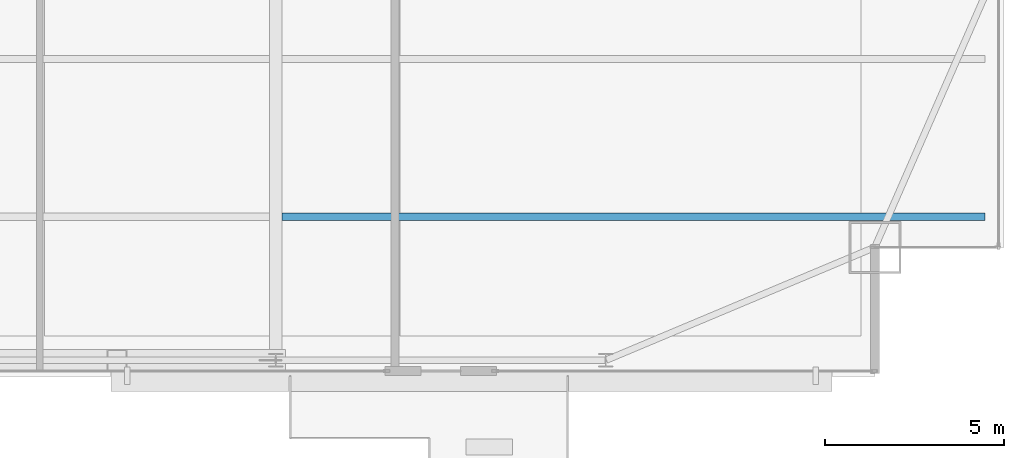
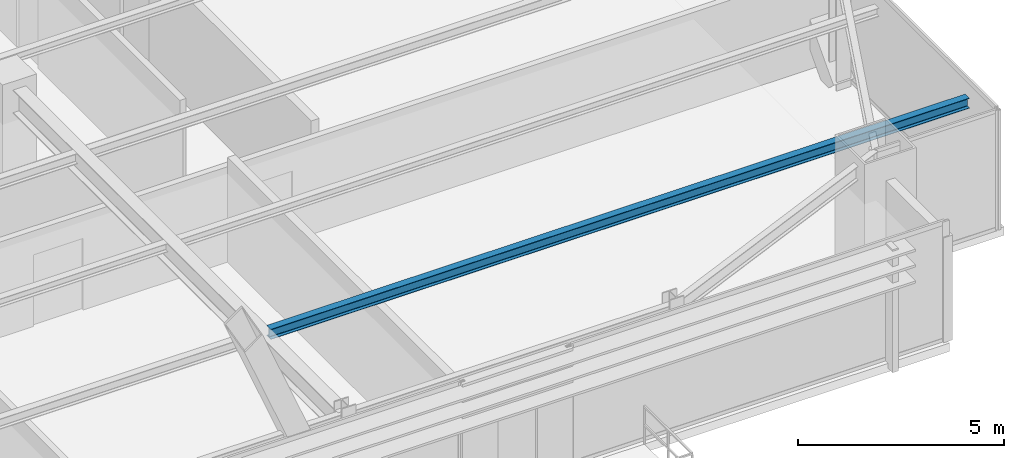
# One storey, part 17 of 38: 1 beam.
"""IFC4 building model written with IfcOpenShell, lengths in metres."""

from ifc_helpers import new_model, si_unit, direction, frame, origin, origin_2d, place, context, subcontext, project, spatial, i_section, extrude, source, transform, mapped, material, material_profile, profile_set, type_object, type_shapes, element, save


model = new_model("IFC4")

# Units and contexts
model_context = context("Model", 3, precision=1e-05, world=origin(), true_north=direction((0.0, 1.0)))
body_context = subcontext(model_context, "Body", "Model", "MODEL_VIEW")
ifc_project = project(units=[si_unit("LENGTHUNIT", "METRE"), si_unit("AREAUNIT", "SQUARE_METRE"), si_unit("VOLUMEUNIT", "CUBIC_METRE"), si_unit("PLANEANGLEUNIT", "RADIAN"), si_unit("MASSUNIT", "GRAM", prefix="KILO")], contexts=[model_context])

# Site, building, storey
site_placement = place(None, origin())
site = spatial("IfcSite", under=ifc_project, at=site_placement, CompositionType="ELEMENT")
building_placement = place(site_placement, origin())
building = spatial("IfcBuilding", under=site, at=building_placement, Name="Varnel Quay Broadcast Tower", CompositionType="ELEMENT")
storey_placement = place(building_placement, frame((0.0, 0.0, 118.199951171875)))
storey = spatial("IfcBuildingStorey", under=building, at=storey_placement, Name="L28", CompositionType="ELEMENT", Elevation=118.199951171875)

# Beam
ifc_material = material(Name="Structural Steel CSA G40.21 350W", Category="steel")
ifc_material_profile = material_profile(ifc_material, i_section(OverallWidth=0.202880859375, OverallDepth=0.302978515625, WebThickness=0.007568359375, FlangeThickness=0.01318359375, FilletRadius=0.011962890625, at=origin_2d()), Name="W310X60")
ifc_profile_set = profile_set([ifc_material_profile], Name="Structural Steel CSA G40.21 350W")
beam_type = type_object("IfcBeamType", Name="Beam_W310X60", PredefinedType="JOIST", material=ifc_profile_set)
shared_shape = source(origin(), body_context, "Body", "SweptSolid", [
    extrude(i_section(OverallWidth=0.202880859375, OverallDepth=0.302978515625, WebThickness=0.007568359375, FlangeThickness=0.01318359375, FilletRadius=0.011962890625, at=origin_2d()), origin(), (0.0, 0.0, 1.0), 19.592041015625),
])
type_shapes(beam_type, [shared_shape])
beam_placement = place(storey_placement, frame((43.37255859375, 8.64990234375, 3.3984375), z_axis=(1.0, 0.0, 0.0), x_axis=(0.0, 1.0, 0.0)))
element("IfcBeam", 1, at=beam_placement, inside=storey, type_object=beam_type, Name="L28 East Floor Joist 1", PredefinedType="JOIST", context=body_context, shape_type="MappedRepresentation", body=[
    mapped(shared_shape, transform((0.0, 0.0, 0.0), x_axis=(1.0, 0.0, 0.0), y_axis=(0.0, 1.0, 0.0), z_axis=(0.0, 0.0, 1.0), scale=1.0)),
])

save(model, "model.ifc")
